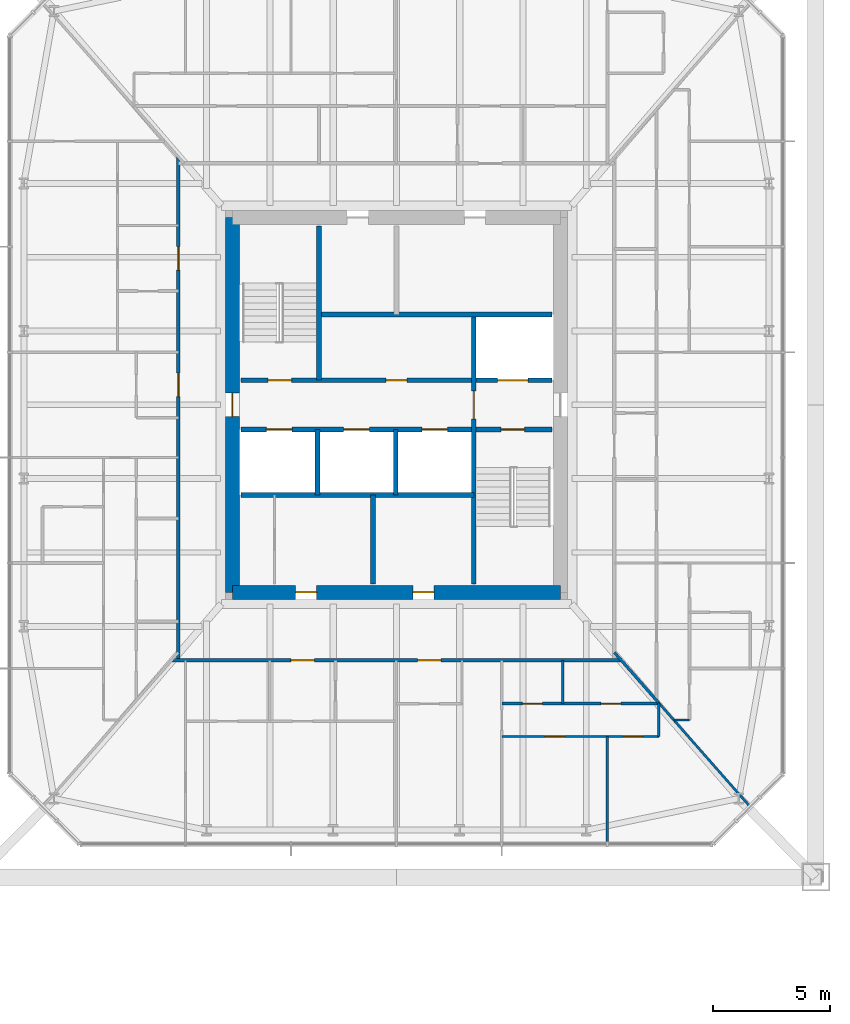
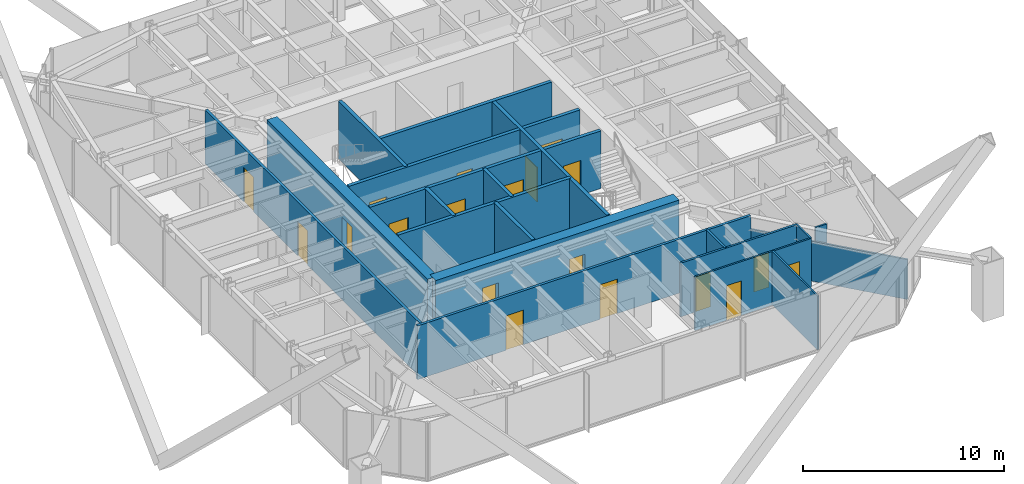
# One storey, part 21 of 28: 21 walls, 19 doors, 19 openings.
"""IFC4 building model written with IfcOpenShell, lengths in metres."""

from ifc_helpers import new_model, si_unit, direction, frame, frame_2d, origin, place, context, subcontext, project, spatial, rectangle, extrude, material, layer, layer_set, type_object, element, fill, save


model = new_model("IFC4")

# Units and contexts
model_context = context("Model", 3, precision=1e-05, world=origin(), true_north=direction((0.0, 1.0)))
body_context = subcontext(model_context, "Body", "Model", "MODEL_VIEW")
ifc_project = project(units=[si_unit("LENGTHUNIT", "METRE"), si_unit("AREAUNIT", "SQUARE_METRE"), si_unit("VOLUMEUNIT", "CUBIC_METRE"), si_unit("PLANEANGLEUNIT", "RADIAN"), si_unit("MASSUNIT", "GRAM", prefix="KILO")], contexts=[model_context])

# Site, building, storey
site_placement = place(None, origin())
site = spatial("IfcSite", under=ifc_project, at=site_placement, CompositionType="ELEMENT")
building_placement = place(site_placement, origin())
building = spatial("IfcBuilding", under=site, at=building_placement, Name="Iwan Alto Co-Living Towers", CompositionType="ELEMENT")
storey_placement = place(building_placement, frame((0.0, 0.0, 64.0)))
storey = spatial("IfcBuildingStorey", under=building, at=storey_placement, Name="L17", CompositionType="ELEMENT", Elevation=64.0)

# Wall, openings, doors
ifc_material_1 = material(Name="Gypsum board")
ifc_layer_1 = layer(ifc_material_1, 0.02490234375, Name="Board", Category="Finish")
ifc_material_2 = material(Name="Steel ASTM A1003 ST33H cold-formed studs", Category="steel")
ifc_layer_2 = layer(ifc_material_2, 0.10009765625, Name="Studs", Category="Framing")
ifc_layer_3 = layer(ifc_material_1, 0.02490234375, Name="Board", Category="Finish")
ifc_layer_set_1 = layer_set([ifc_layer_1, ifc_layer_2, ifc_layer_3], Name="CORRIDOR WALL 150")
wall_type_1 = type_object("IfcWallType", Name="CORRIDOR WALL 150", PredefinedType="PARTITIONING", material=ifc_layer_set_1)
wall_1_placement = place(storey_placement, frame((53.407958984375, -10.89990234375, 0.0), z_axis=(0.0, 0.0, 1.0), x_axis=(1.0, 0.0, 0.0)))
wall_1 = element("IfcWall", 1, at=wall_1_placement, inside=storey, type_object=wall_type_1, Name="Partition L17", PredefinedType="PARTITIONING", context=body_context, shape_type="SweptSolid", body=[
    extrude(rectangle(XDim=19.18408203125, YDim=0.14990234375, at=frame_2d((9.592041015625, 0.0))), origin(), (0.0, 0.0, 1.0), 3.27001953125),
])
opening_1_placement = place(wall_1_placement, frame((5.092041015625, 0.0, 0.0)))
opening_1 = element("IfcOpeningElement", 2, at=opening_1_placement, cuts=wall_1, Name="Opening D3", PredefinedType="OPENING", context=body_context, shape_type="SweptSolid", body=[
    extrude(rectangle(XDim=1.0, YDim=2.10009765625, at=frame_2d((0.5, 1.050048828125))), frame((0.0, 0.0849609375, 0.0), z_axis=(0.0, -1.0, 0.0), x_axis=(1.0, 0.0, 0.0)), (0.0, 0.0, 1.0), 0.169921875),
])
opening_2_placement = place(wall_1_placement, frame((10.491943359375, 0.0, 0.0)))
opening_2 = element("IfcOpeningElement", 3, at=opening_2_placement, cuts=wall_1, Name="Opening D3", PredefinedType="OPENING", context=body_context, shape_type="SweptSolid", body=[
    extrude(rectangle(XDim=1.0, YDim=2.10009765625, at=frame_2d((0.5, 1.050048828125))), frame((0.0, 0.0849609375, 0.0), z_axis=(0.0, -1.0, 0.0), x_axis=(1.0, 0.0, 0.0)), (0.0, 0.0, 1.0), 0.169921875),
])
ifc_material_3 = material(Name="Steel frame with timber leaf", Category="steel")
door_type_1 = type_object("IfcDoorType", Name="FLAT ENTRANCE DOOR FD30S 1000X2100", OperationType="SINGLE_SWING_LEFT", PredefinedType="DOOR", material=ifc_material_3)
door_1_placement = place(opening_1_placement, frame((1.0, 0.0, 0.0), z_axis=(0.0, 0.0, 1.0), x_axis=(-1.0, 0.0, 0.0)))
door_1 = element("IfcDoor", 4, at=door_1_placement, inside=storey, type_object=door_type_1, Name="Apartment foyer door L17", OperationType="SINGLE_SWING_RIGHT", OverallHeight=2.10009765625, OverallWidth=1.0, PredefinedType="DOOR", context=body_context, shape_type="SweptSolid", body=[
    extrude(rectangle(XDim=1.0, YDim=2.10009765625, at=frame_2d((0.5, 1.050048828125))), frame((0.0, 0.02490234375, 0.0), z_axis=(0.0, -1.0, 0.0), x_axis=(1.0, 0.0, 0.0)), (0.0, 0.0, 1.0), 0.050048828125),
])
fill(opening_1, door_1)
door_2_placement = place(opening_2_placement, frame((1.0, 0.0, 0.0), z_axis=(0.0, 0.0, 1.0), x_axis=(-1.0, 0.0, 0.0)))
door_2 = element("IfcDoor", 5, at=door_2_placement, inside=storey, type_object=door_type_1, Name="Apartment foyer door L17", OperationType="SINGLE_SWING_RIGHT", OverallHeight=2.10009765625, OverallWidth=1.0, PredefinedType="DOOR", context=body_context, shape_type="SweptSolid", body=[
    extrude(rectangle(XDim=1.0, YDim=2.10009765625, at=frame_2d((0.5, 1.050048828125))), frame((0.0, 0.02490234375, 0.0), z_axis=(0.0, -1.0, 0.0), x_axis=(1.0, 0.0, 0.0)), (0.0, 0.0, 1.0), 0.050048828125),
])
fill(opening_2, door_2)

wall_2_placement = place(storey_placement, frame((53.699951171875, -10.89990234375, 0.0), z_axis=(0.0, 0.0, 1.0), x_axis=(0.0, 1.0, 0.0)))
wall_2 = element("IfcWall", 6, at=wall_2_placement, inside=storey, type_object=wall_type_1, Name="Partition L17", PredefinedType="PARTITIONING", context=body_context, shape_type="SweptSolid", body=[
    extrude(rectangle(XDim=21.468017578125, YDim=0.14990234375, at=frame_2d((10.73388671875, 0.0))), origin(), (0.0, 0.0, 1.0), 3.27001953125),
])
opening_3_placement = place(wall_2_placement, frame((16.64990234375, 0.0, 0.0)))
opening_3 = element("IfcOpeningElement", 7, at=opening_3_placement, cuts=wall_2, Name="Opening D3", PredefinedType="OPENING", context=body_context, shape_type="SweptSolid", body=[
    extrude(rectangle(XDim=1.0, YDim=2.10009765625, at=frame_2d((0.5, 1.050048828125))), frame((0.0, 0.0849609375, 0.0), z_axis=(0.0, -1.0, 0.0), x_axis=(1.0, 0.0, 0.0)), (0.0, 0.0, 1.0), 0.169921875),
])
opening_4_placement = place(wall_2_placement, frame((11.25, 0.0, 0.0)))
opening_4 = element("IfcOpeningElement", 8, at=opening_4_placement, cuts=wall_2, Name="Opening D3", PredefinedType="OPENING", context=body_context, shape_type="SweptSolid", body=[
    extrude(rectangle(XDim=1.0, YDim=2.10009765625, at=frame_2d((0.5, 1.050048828125))), frame((0.0, 0.0849609375, 0.0), z_axis=(0.0, -1.0, 0.0), x_axis=(1.0, 0.0, 0.0)), (0.0, 0.0, 1.0), 0.169921875),
])
door_3_placement = place(opening_3_placement, origin())
door_3 = element("IfcDoor", 9, at=door_3_placement, inside=storey, type_object=door_type_1, Name="Apartment foyer door L17", OperationType="SINGLE_SWING_LEFT", OverallHeight=2.10009765625, OverallWidth=1.0, PredefinedType="DOOR", context=body_context, shape_type="SweptSolid", body=[
    extrude(rectangle(XDim=1.0, YDim=2.10009765625, at=frame_2d((0.5, 1.050048828125))), frame((0.0, 0.02490234375, 0.0), z_axis=(0.0, -1.0, 0.0), x_axis=(1.0, 0.0, 0.0)), (0.0, 0.0, 1.0), 0.050048828125),
])
fill(opening_3, door_3)
door_4_placement = place(opening_4_placement, origin())
door_4 = element("IfcDoor", 10, at=door_4_placement, inside=storey, type_object=door_type_1, Name="Apartment foyer door L17", OperationType="SINGLE_SWING_LEFT", OverallHeight=2.10009765625, OverallWidth=1.0, PredefinedType="DOOR", context=body_context, shape_type="SweptSolid", body=[
    extrude(rectangle(XDim=1.0, YDim=2.10009765625, at=frame_2d((0.5, 1.050048828125))), frame((0.0, 0.02490234375, 0.0), z_axis=(0.0, -1.0, 0.0), x_axis=(1.0, 0.0, 0.0)), (0.0, 0.0, 1.0), 0.050048828125),
])
fill(opening_4, door_4)

ifc_layer_4 = layer(ifc_material_1, 0.012451171875, Name="Board", Category="Finish")
ifc_layer_5 = layer(ifc_material_2, 0.074951171875, Name="Studs", Category="Framing")
ifc_layer_6 = layer(ifc_material_1, 0.012451171875, Name="Board", Category="Finish")
ifc_layer_set_2 = layer_set([ifc_layer_4, ifc_layer_5, ifc_layer_6], Name="PARTITION 100")
wall_type_2 = type_object("IfcWallType", Name="PARTITION 100", PredefinedType="PARTITIONING", material=ifc_layer_set_2)
wall_3_placement = place(storey_placement, frame((67.5, -14.14990234375, 0.0), z_axis=(0.0, 0.0, 1.0), x_axis=(1.0, 0.0, 0.0)))
wall_3 = element("IfcWall", 11, at=wall_3_placement, inside=storey, type_object=wall_type_2, Name="Partition L17", PredefinedType="PARTITIONING", context=body_context, shape_type="SweptSolid", body=[
    extrude(rectangle(XDim=6.699951171875, YDim=0.10009765625, at=frame_2d((3.35009765625, 0.0))), origin(), (0.0, 0.0, 1.0), 3.27001953125),
])
opening_5_placement = place(wall_3_placement, frame((1.824951171875, 0.0, 0.0)))
opening_5 = element("IfcOpeningElement", 12, at=opening_5_placement, cuts=wall_3, Name="Opening D2", PredefinedType="OPENING", context=body_context, shape_type="SweptSolid", body=[
    extrude(rectangle(XDim=0.85009765625, YDim=2.10009765625, at=frame_2d((0.425048828125, 1.050048828125))), frame((0.0, 0.06005859375, 0.0), z_axis=(0.0, -1.0, 0.0), x_axis=(1.0, 0.0, 0.0)), (0.0, 0.0, 1.0), 0.1201171875),
])
opening_6_placement = place(wall_3_placement, frame((5.175048828125, 0.0, 0.0)))
opening_6 = element("IfcOpeningElement", 13, at=opening_6_placement, cuts=wall_3, Name="Opening D2", PredefinedType="OPENING", context=body_context, shape_type="SweptSolid", body=[
    extrude(rectangle(XDim=0.85009765625, YDim=2.10009765625, at=frame_2d((0.425048828125, 1.050048828125))), frame((0.0, 0.06005859375, 0.0), z_axis=(0.0, -1.0, 0.0), x_axis=(1.0, 0.0, 0.0)), (0.0, 0.0, 1.0), 0.1201171875),
])
ifc_material_4 = material(Name="Timber leaf in steel frame", Category="steel")
door_type_2 = type_object("IfcDoorType", Name="ROOM DOOR 850X2100", OperationType="SINGLE_SWING_LEFT", PredefinedType="DOOR", material=ifc_material_4)
door_5_placement = place(opening_5_placement, frame((0.85009765625, 0.0, 0.0), z_axis=(0.0, 0.0, 1.0), x_axis=(-1.0, 0.0, 0.0)))
door_5 = element("IfcDoor", 14, at=door_5_placement, inside=storey, type_object=door_type_2, Name="Study door L17", OperationType="SINGLE_SWING_RIGHT", OverallHeight=2.10009765625, OverallWidth=0.85009765625, PredefinedType="DOOR", context=body_context, shape_type="SweptSolid", body=[
    extrude(rectangle(XDim=0.85009765625, YDim=2.10009765625, at=frame_2d((0.425048828125, 1.050048828125))), frame((0.0, 0.02490234375, 0.0), z_axis=(0.0, -1.0, 0.0), x_axis=(1.0, 0.0, 0.0)), (0.0, 0.0, 1.0), 0.050048828125),
])
fill(opening_5, door_5)
door_6_placement = place(opening_6_placement, frame((0.85009765625, 0.0, 0.0), z_axis=(0.0, 0.0, 1.0), x_axis=(-1.0, 0.0, 0.0)))
door_6 = element("IfcDoor", 15, at=door_6_placement, inside=storey, type_object=door_type_2, Name="Bedroom door L17", OperationType="SINGLE_SWING_RIGHT", OverallHeight=2.10009765625, OverallWidth=0.85009765625, PredefinedType="DOOR", context=body_context, shape_type="SweptSolid", body=[
    extrude(rectangle(XDim=0.85009765625, YDim=2.10009765625, at=frame_2d((0.425048828125, 1.050048828125))), frame((0.0, 0.02490234375, 0.0), z_axis=(0.0, -1.0, 0.0), x_axis=(1.0, 0.0, 0.0)), (0.0, 0.0, 1.0), 0.050048828125),
])
fill(opening_6, door_6)

# Walls
wall_4_placement = place(storey_placement, frame((74.8359375, -13.449951171875, 0.0), z_axis=(0.0, 0.0, 1.0), x_axis=(1.0, 0.0, 0.0)))
element("IfcWall", 16, at=wall_4_placement, inside=storey, type_object=wall_type_2, Name="Partition L17", PredefinedType="PARTITIONING", context=body_context, shape_type="SweptSolid", body=[
    extrude(rectangle(XDim=0.6640625, YDim=0.10009765625, at=frame_2d((0.33203125, 0.0))), origin(), (0.0, 0.0, 1.0), 3.27001953125),
])
wall_5_placement = place(storey_placement, frame((74.199951171875, -14.14990234375, 0.0), z_axis=(0.0, 0.0, 1.0), x_axis=(0.0, 1.0, 0.0)))
element("IfcWall", 17, at=wall_5_placement, inside=storey, type_object=wall_type_2, Name="Partition L17", PredefinedType="PARTITIONING", context=body_context, shape_type="SweptSolid", body=[
    extrude(rectangle(XDim=1.4228515625, YDim=0.10009765625, at=frame_2d((0.71142578125, 0.0))), origin(), (0.0, 0.0, 1.0), 3.27001953125),
])
wall_6_placement = place(storey_placement, frame((72.0, -18.68994140625, 0.0), z_axis=(0.0, 0.0, 1.0), x_axis=(0.0, 1.0, 0.0)))
element("IfcWall", 18, at=wall_6_placement, inside=storey, type_object=wall_type_2, Name="Partition L17", PredefinedType="PARTITIONING", context=body_context, shape_type="SweptSolid", body=[
    extrude(rectangle(XDim=4.5400390625, YDim=0.10009765625, at=frame_2d((2.27001953125, 0.0))), origin(), (0.0, 0.0, 1.0), 3.27001953125),
])
wall_7_placement = place(storey_placement, frame((78.056640625, -17.109375, 0.0), z_axis=(0.0, 0.0, 1.0), x_axis=(-0.660654290516, 0.750690287951, 0.0)))
element("IfcWall", 19, at=wall_7_placement, inside=storey, type_object=wall_type_2, Name="Partition L17", PredefinedType="PARTITIONING", context=body_context, shape_type="SweptSolid", body=[
    extrude(rectangle(XDim=5.838134765625, YDim=0.10009765625, at=frame_2d((2.9189453125, 0.0))), origin(), (0.0, 0.0, 1.0), 2.42919921875),
])
ifc_material_5 = material(Name="Concrete f'c 70 MPa", Category="concrete")
ifc_layer_7 = layer(ifc_material_5, 0.199951171875)
ifc_layer_set_3 = layer_set([ifc_layer_7], Name="SHAFT WALL 200")
wall_type_3 = type_object("IfcWallType", Name="SHAFT WALL 200", PredefinedType="SOLIDWALL", material=ifc_layer_set_3)
wall_8_placement = place(storey_placement, frame((56.360107421875, -3.85009765625, 0.0), z_axis=(0.0, 0.0, 1.0), x_axis=(1.0, 0.0, 0.0)))
element("IfcWall", 20, at=wall_8_placement, inside=storey, type_object=wall_type_3, Name="Shaft wall L17", PredefinedType="SOLIDWALL", context=body_context, shape_type="SweptSolid", body=[
    extrude(rectangle(XDim=9.93994140625, YDim=0.199951171875, at=frame_2d((4.969970703125, 0.0))), origin(), (0.0, 0.0, 1.0), 3.5),
])

# Wall, openings, doors
wall_9_placement = place(storey_placement, frame((56.360107421875, -1.050048828125, 0.0), z_axis=(0.0, 0.0, 1.0), x_axis=(1.0, 0.0, 0.0)))
wall_9 = element("IfcWall", 21, at=wall_9_placement, inside=storey, type_object=wall_type_3, Name="Shaft wall L17", PredefinedType="SOLIDWALL", context=body_context, shape_type="SweptSolid", body=[
    extrude(rectangle(XDim=13.27978515625, YDim=0.199951171875, at=frame_2d((6.639892578125, 0.0))), origin(), (0.0, 0.0, 1.0), 3.5),
])
opening_7_placement = place(wall_9_placement, frame((11.110107421875, 0.0, 0.0)))
opening_7 = element("IfcOpeningElement", 22, at=opening_7_placement, cuts=wall_9, Name="Opening D5", PredefinedType="OPENING", context=body_context, shape_type="SweptSolid", body=[
    extrude(rectangle(XDim=1.0, YDim=2.10009765625, at=frame_2d((0.5, 1.050048828125))), frame((0.0, 0.10986328125, 0.0), z_axis=(0.0, -1.0, 0.0), x_axis=(1.0, 0.0, 0.0)), (0.0, 0.0, 1.0), 0.219970703125),
])
opening_8_placement = place(wall_9_placement, frame((1.0869140625, 0.0, 0.0)))
opening_8 = element("IfcOpeningElement", 23, at=opening_8_placement, cuts=wall_9, Name="Opening LD", PredefinedType="OPENING", context=body_context, shape_type="SweptSolid", body=[
    extrude(rectangle(XDim=1.10009765625, YDim=2.10009765625, at=frame_2d((0.550048828125, 1.050048828125))), frame((0.0, 0.10986328125, 0.0), z_axis=(0.0, -1.0, 0.0), x_axis=(1.0, 0.0, 0.0)), (0.0, 0.0, 1.0), 0.219970703125),
])
opening_9_placement = place(wall_9_placement, frame((4.389892578125, 0.0, 0.0)))
opening_9 = element("IfcOpeningElement", 24, at=opening_9_placement, cuts=wall_9, Name="Opening LD", PredefinedType="OPENING", context=body_context, shape_type="SweptSolid", body=[
    extrude(rectangle(XDim=1.10009765625, YDim=2.10009765625, at=frame_2d((0.550048828125, 1.050048828125))), frame((0.0, 0.10986328125, 0.0), z_axis=(0.0, -1.0, 0.0), x_axis=(1.0, 0.0, 0.0)), (0.0, 0.0, 1.0), 0.219970703125),
])
opening_10_placement = place(wall_9_placement, frame((7.72412109375, 0.0, 0.0)))
opening_10 = element("IfcOpeningElement", 25, at=opening_10_placement, cuts=wall_9, Name="Opening LD", PredefinedType="OPENING", context=body_context, shape_type="SweptSolid", body=[
    extrude(rectangle(XDim=1.10009765625, YDim=2.10009765625, at=frame_2d((0.550048828125, 1.050048828125))), frame((0.0, 0.10986328125, 0.0), z_axis=(0.0, -1.0, 0.0), x_axis=(1.0, 0.0, 0.0)), (0.0, 0.0, 1.0), 0.219970703125),
])
ifc_material_6 = material(Name="Steel frame with timber leaf", Category="steel")
door_type_3 = type_object("IfcDoorType", Name="LIFT LANDING DOOR 1100X2100", OperationType="DOUBLE_DOOR_SLIDING", PredefinedType="DOOR", material=ifc_material_6)
door_7_placement = place(opening_8_placement, origin())
door_7 = element("IfcDoor", 26, at=door_7_placement, inside=storey, type_object=door_type_3, Name="Lift P5-1 landing door L17", OperationType="DOUBLE_DOOR_SLIDING", OverallHeight=2.10009765625, OverallWidth=1.10009765625, PredefinedType="DOOR", context=body_context, shape_type="SweptSolid", body=[
    extrude(rectangle(XDim=1.10009765625, YDim=2.10009765625, at=frame_2d((0.550048828125, 1.050048828125))), frame((0.0, 0.02490234375, 0.0), z_axis=(0.0, -1.0, 0.0), x_axis=(1.0, 0.0, 0.0)), (0.0, 0.0, 1.0), 0.050048828125),
])
fill(opening_8, door_7)
door_8_placement = place(opening_9_placement, origin())
door_8 = element("IfcDoor", 27, at=door_8_placement, inside=storey, type_object=door_type_3, Name="Lift P5-2 landing door L17", OperationType="DOUBLE_DOOR_SLIDING", OverallHeight=2.10009765625, OverallWidth=1.10009765625, PredefinedType="DOOR", context=body_context, shape_type="SweptSolid", body=[
    extrude(rectangle(XDim=1.10009765625, YDim=2.10009765625, at=frame_2d((0.550048828125, 1.050048828125))), frame((0.0, 0.02490234375, 0.0), z_axis=(0.0, -1.0, 0.0), x_axis=(1.0, 0.0, 0.0)), (0.0, 0.0, 1.0), 0.050048828125),
])
fill(opening_9, door_8)
door_9_placement = place(opening_10_placement, origin())
door_9 = element("IfcDoor", 28, at=door_9_placement, inside=storey, type_object=door_type_3, Name="Lift P6-3 landing door L17", OperationType="DOUBLE_DOOR_SLIDING", OverallHeight=2.10009765625, OverallWidth=1.10009765625, PredefinedType="DOOR", context=body_context, shape_type="SweptSolid", body=[
    extrude(rectangle(XDim=1.10009765625, YDim=2.10009765625, at=frame_2d((0.550048828125, 1.050048828125))), frame((0.0, 0.02490234375, 0.0), z_axis=(0.0, -1.0, 0.0), x_axis=(1.0, 0.0, 0.0)), (0.0, 0.0, 1.0), 0.050048828125),
])
fill(opening_10, door_9)
ifc_material_7 = material(Name="Steel frame with timber leaf", Category="steel")
door_type_4 = type_object("IfcDoorType", Name="STAIR DOOR FD120S 1000X2100", OperationType="SINGLE_SWING_LEFT", PredefinedType="DOOR", material=ifc_material_7)
door_10_placement = place(opening_7_placement, frame((1.0, 0.0, 0.0), z_axis=(0.0, 0.0, 1.0), x_axis=(-1.0, 0.0, 0.0)))
door_10 = element("IfcDoor", 29, at=door_10_placement, inside=storey, type_object=door_type_4, Name="Stair S2 door L17", OperationType="SINGLE_SWING_RIGHT", OverallHeight=2.10009765625, OverallWidth=1.0, PredefinedType="DOOR", context=body_context, shape_type="SweptSolid", body=[
    extrude(rectangle(XDim=1.0, YDim=2.10009765625, at=frame_2d((0.5, 1.050048828125))), frame((0.0, 0.02490234375, 0.0), z_axis=(0.0, -1.0, 0.0), x_axis=(1.0, 0.0, 0.0)), (0.0, 0.0, 1.0), 0.050048828125),
])
fill(opening_7, door_10)

wall_10_placement = place(storey_placement, frame((56.360107421875, 1.050048828125, 0.0), z_axis=(0.0, 0.0, 1.0), x_axis=(1.0, 0.0, 0.0)))
wall_10 = element("IfcWall", 30, at=wall_10_placement, inside=storey, type_object=wall_type_3, Name="Shaft wall L17", PredefinedType="SOLIDWALL", context=body_context, shape_type="SweptSolid", body=[
    extrude(rectangle(XDim=13.27978515625, YDim=0.199951171875, at=frame_2d((6.639892578125, 0.0))), origin(), (0.0, 0.0, 1.0), 3.5),
])
opening_11_placement = place(wall_10_placement, frame((1.169921875, 0.0, 0.0)))
opening_11 = element("IfcOpeningElement", 31, at=opening_11_placement, cuts=wall_10, Name="Opening D5", PredefinedType="OPENING", context=body_context, shape_type="SweptSolid", body=[
    extrude(rectangle(XDim=1.0, YDim=2.10009765625, at=frame_2d((0.5, 1.050048828125))), frame((0.0, 0.10986328125, 0.0), z_axis=(0.0, -1.0, 0.0), x_axis=(1.0, 0.0, 0.0)), (0.0, 0.0, 1.0), 0.219970703125),
])
opening_12_placement = place(wall_10_placement, frame((6.18994140625, 0.0, 0.0)))
opening_12 = element("IfcOpeningElement", 32, at=opening_12_placement, cuts=wall_10, Name="Opening D8", PredefinedType="OPENING", context=body_context, shape_type="SweptSolid", body=[
    extrude(rectangle(XDim=0.89990234375, YDim=2.10009765625, at=frame_2d((0.449951171875, 1.050048828125))), frame((0.0, 0.10986328125, 0.0), z_axis=(0.0, -1.0, 0.0), x_axis=(1.0, 0.0, 0.0)), (0.0, 0.0, 1.0), 0.219970703125),
])
opening_13_placement = place(wall_10_placement, frame((10.9599609375, 0.0, 0.0)))
opening_13 = element("IfcOpeningElement", 33, at=opening_13_placement, cuts=wall_10, Name="Opening LD2", PredefinedType="OPENING", context=body_context, shape_type="SweptSolid", body=[
    extrude(rectangle(XDim=1.300048828125, YDim=2.10009765625, at=frame_2d((0.64990234375, 1.050048828125))), frame((0.0, 0.10986328125, 0.0), z_axis=(0.0, -1.0, 0.0), x_axis=(1.0, 0.0, 0.0)), (0.0, 0.0, 1.0), 0.219970703125),
])
ifc_material_8 = material(Name="Steel frame with timber leaf", Category="steel")
door_type_5 = type_object("IfcDoorType", Name="LIFT LANDING DOOR 1300X2100", OperationType="SLIDING_TO_LEFT", PredefinedType="DOOR", material=ifc_material_8)
door_11_placement = place(opening_13_placement, origin())
door_11 = element("IfcDoor", 34, at=door_11_placement, inside=storey, type_object=door_type_5, Name="Lift FL2 landing door L17", OperationType="SLIDING_TO_LEFT", OverallHeight=2.10009765625, OverallWidth=1.300048828125, PredefinedType="DOOR", context=body_context, shape_type="SweptSolid", body=[
    extrude(rectangle(XDim=1.300048828125, YDim=2.10009765625, at=frame_2d((0.64990234375, 1.050048828125))), frame((0.0, 0.02490234375, 0.0), z_axis=(0.0, -1.0, 0.0), x_axis=(1.0, 0.0, 0.0)), (0.0, 0.0, 1.0), 0.050048828125),
])
fill(opening_13, door_11)
ifc_material_9 = material(Name="Steel frame with timber leaf", Category="steel")
door_type_6 = type_object("IfcDoorType", Name="RISER DOOR FD120 900X2100", OperationType="SINGLE_SWING_LEFT", PredefinedType="DOOR", material=ifc_material_9)
door_12_placement = place(opening_12_placement, origin())
door_12 = element("IfcDoor", 35, at=door_12_placement, inside=storey, type_object=door_type_6, Name="Riser room door L17", OperationType="SINGLE_SWING_LEFT", OverallHeight=2.10009765625, OverallWidth=0.89990234375, PredefinedType="DOOR", context=body_context, shape_type="SweptSolid", body=[
    extrude(rectangle(XDim=0.89990234375, YDim=2.10009765625, at=frame_2d((0.449951171875, 1.050048828125))), frame((0.0, 0.02490234375, 0.0), z_axis=(0.0, -1.0, 0.0), x_axis=(1.0, 0.0, 0.0)), (0.0, 0.0, 1.0), 0.050048828125),
])
fill(opening_12, door_12)
door_13_placement = place(opening_11_placement, origin())
door_13 = element("IfcDoor", 36, at=door_13_placement, inside=storey, type_object=door_type_4, Name="Stair S1 door L17", OperationType="SINGLE_SWING_RIGHT", OverallHeight=2.10009765625, OverallWidth=1.0, PredefinedType="DOOR", context=body_context, shape_type="SweptSolid", body=[
    extrude(rectangle(XDim=1.0, YDim=2.10009765625, at=frame_2d((0.5, 1.050048828125))), frame((0.0, 0.02490234375, 0.0), z_axis=(0.0, -1.0, 0.0), x_axis=(1.0, 0.0, 0.0)), (0.0, 0.0, 1.0), 0.050048828125),
])
fill(opening_11, door_13)

# Wall
wall_11_placement = place(storey_placement, frame((59.699951171875, 3.85009765625, 0.0), z_axis=(0.0, 0.0, 1.0), x_axis=(1.0, 0.0, 0.0)))
element("IfcWall", 37, at=wall_11_placement, inside=storey, type_object=wall_type_3, Name="Shaft wall L17", PredefinedType="SOLIDWALL", context=body_context, shape_type="SweptSolid", body=[
    extrude(rectangle(XDim=9.93994140625, YDim=0.199951171875, at=frame_2d((4.969970703125, 0.0))), origin(), (0.0, 0.0, 1.0), 3.5),
])

# Wall, opening, door
wall_12_placement = place(storey_placement, frame((66.300048828125, -7.639892578125, 0.0), z_axis=(0.0, 0.0, 1.0), x_axis=(0.0, 1.0, 0.0)))
wall_12 = element("IfcWall", 38, at=wall_12_placement, inside=storey, type_object=wall_type_3, Name="Shaft wall L17", PredefinedType="SOLIDWALL", context=body_context, shape_type="SweptSolid", body=[
    extrude(rectangle(XDim=11.489990234375, YDim=0.199951171875, at=frame_2d((5.7451171875, 0.0))), origin(), (0.0, 0.0, 1.0), 3.5),
])
opening_14_placement = place(wall_12_placement, frame((7.0400390625, 0.0, 0.0)))
opening_14 = element("IfcOpeningElement", 39, at=opening_14_placement, cuts=wall_12, Name="Opening D6", PredefinedType="OPENING", context=body_context, shape_type="SweptSolid", body=[
    extrude(rectangle(XDim=1.199951171875, YDim=2.10009765625, at=frame_2d((0.60009765625, 1.050048828125))), frame((0.0, 0.10986328125, 0.0), z_axis=(0.0, -1.0, 0.0), x_axis=(1.0, 0.0, 0.0)), (0.0, 0.0, 1.0), 0.219970703125),
])
ifc_material_10 = material(Name="Steel frame with timber leaf", Category="steel")
door_type_7 = type_object("IfcDoorType", Name="LOBBY DOOR FD120S 1200X2100", OperationType="SINGLE_SWING_LEFT", PredefinedType="DOOR", material=ifc_material_10)
door_14_placement = place(opening_14_placement, frame((1.199951171875, 0.0, 0.0), z_axis=(0.0, 0.0, 1.0), x_axis=(-1.0, 0.0, 0.0)))
door_14 = element("IfcDoor", 40, at=door_14_placement, inside=storey, type_object=door_type_7, Name="Firefighting lobby door L17", OperationType="SINGLE_SWING_RIGHT", OverallHeight=2.10009765625, OverallWidth=1.199951171875, PredefinedType="DOOR", context=body_context, shape_type="SweptSolid", body=[
    extrude(rectangle(XDim=1.199951171875, YDim=2.10009765625, at=frame_2d((0.60009765625, 1.050048828125))), frame((0.0, 0.02490234375, 0.0), z_axis=(0.0, -1.0, 0.0), x_axis=(1.0, 0.0, 0.0)), (0.0, 0.0, 1.0), 0.050048828125),
])
fill(opening_14, door_14)

# Walls
wall_13_placement = place(storey_placement, frame((62.967041015625, -3.85009765625, 0.0), z_axis=(0.0, 0.0, 1.0), x_axis=(0.0, 1.0, 0.0)))
element("IfcWall", 41, at=wall_13_placement, inside=storey, type_object=wall_type_3, Name="Shaft wall L17", PredefinedType="SOLIDWALL", context=body_context, shape_type="SweptSolid", body=[
    extrude(rectangle(XDim=2.800048828125, YDim=0.199951171875, at=frame_2d((1.39990234375, 0.0))), origin(), (0.0, 0.0, 1.0), 3.5),
])
wall_14_placement = place(storey_placement, frame((62.0, -7.639892578125, 0.0), z_axis=(0.0, 0.0, 1.0), x_axis=(0.0, 1.0, 0.0)))
element("IfcWall", 42, at=wall_14_placement, inside=storey, type_object=wall_type_3, Name="Shaft wall L17", PredefinedType="SOLIDWALL", context=body_context, shape_type="SweptSolid", body=[
    extrude(rectangle(XDim=3.789794921875, YDim=0.199951171875, at=frame_2d((1.89501953125, 0.0))), origin(), (0.0, 0.0, 1.0), 3.5),
])
wall_15_placement = place(storey_placement, frame((59.699951171875, 1.050048828125, 0.0), z_axis=(0.0, 0.0, 1.0), x_axis=(0.0, 1.0, 0.0)))
element("IfcWall", 43, at=wall_15_placement, inside=storey, type_object=wall_type_3, Name="Shaft wall L17", PredefinedType="SOLIDWALL", context=body_context, shape_type="SweptSolid", body=[
    extrude(rectangle(XDim=6.58984375, YDim=0.199951171875, at=frame_2d((3.294921875, 0.0))), origin(), (0.0, 0.0, 1.0), 3.5),
])
wall_16_placement = place(storey_placement, frame((59.633056640625, -3.85009765625, 0.0), z_axis=(0.0, 0.0, 1.0), x_axis=(0.0, 1.0, 0.0)))
element("IfcWall", 44, at=wall_16_placement, inside=storey, type_object=wall_type_3, Name="Shaft wall L17", PredefinedType="SOLIDWALL", context=body_context, shape_type="SweptSolid", body=[
    extrude(rectangle(XDim=2.800048828125, YDim=0.199951171875, at=frame_2d((1.39990234375, 0.0))), origin(), (0.0, 0.0, 1.0), 3.5),
])

# Wall, openings, doors
ifc_material_11 = material(Name="Concrete f'c 70 MPa", Category="concrete")
ifc_layer_8 = layer(ifc_material_11, 0.60009765625)
ifc_layer_set_4 = layer_set([ifc_layer_8], Name="T2 CORE WALL 600")
wall_type_4 = type_object("IfcWallType", Name="T2 CORE WALL 600", PredefinedType="SHEAR", material=ifc_layer_set_4)
wall_17_placement = place(storey_placement, frame((56.0, -8.0, 0.0), z_axis=(0.0, 0.0, 1.0), x_axis=(1.0, 0.0, 0.0)))
wall_17 = element("IfcWall", 45, at=wall_17_placement, inside=storey, type_object=wall_type_4, Name="T2 core wall S L17", PredefinedType="SHEAR", context=body_context, shape_type="SweptSolid", body=[
    extrude(rectangle(XDim=14.0, YDim=0.60009765625, at=frame_2d((7.0, 0.0))), origin(), (0.0, 0.0, 1.0), 3.5),
])
opening_15_placement = place(wall_17_placement, frame((2.699951171875, 0.0, 0.0)))
opening_15 = element("IfcOpeningElement", 46, at=opening_15_placement, cuts=wall_17, Name="Opening D8", PredefinedType="OPENING", context=body_context, shape_type="SweptSolid", body=[
    extrude(rectangle(XDim=0.89990234375, YDim=2.10009765625, at=frame_2d((0.449951171875, 1.050048828125))), frame((0.0, 0.31005859375, 0.0), z_axis=(0.0, -1.0, 0.0), x_axis=(1.0, 0.0, 0.0)), (0.0, 0.0, 1.0), 0.6201171875),
])
opening_16_placement = place(wall_17_placement, frame((7.699951171875, 0.0, 0.0)))
opening_16 = element("IfcOpeningElement", 47, at=opening_16_placement, cuts=wall_17, Name="Opening D8", PredefinedType="OPENING", context=body_context, shape_type="SweptSolid", body=[
    extrude(rectangle(XDim=0.89990234375, YDim=2.10009765625, at=frame_2d((0.449951171875, 1.050048828125))), frame((0.0, 0.31005859375, 0.0), z_axis=(0.0, -1.0, 0.0), x_axis=(1.0, 0.0, 0.0)), (0.0, 0.0, 1.0), 0.6201171875),
])
door_15_placement = place(opening_15_placement, origin())
door_15 = element("IfcDoor", 48, at=door_15_placement, inside=storey, type_object=door_type_6, Name="Refuse room core door L17", OperationType="SINGLE_SWING_LEFT", OverallHeight=2.10009765625, OverallWidth=0.89990234375, PredefinedType="DOOR", context=body_context, shape_type="SweptSolid", body=[
    extrude(rectangle(XDim=0.89990234375, YDim=2.10009765625, at=frame_2d((0.449951171875, 1.050048828125))), frame((0.0, 0.02490234375, 0.0), z_axis=(0.0, -1.0, 0.0), x_axis=(1.0, 0.0, 0.0)), (0.0, 0.0, 1.0), 0.050048828125),
])
fill(opening_15, door_15)
door_16_placement = place(opening_16_placement, origin())
door_16 = element("IfcDoor", 49, at=door_16_placement, inside=storey, type_object=door_type_6, Name="Telecom riser core door L17", OperationType="SINGLE_SWING_LEFT", OverallHeight=2.10009765625, OverallWidth=0.89990234375, PredefinedType="DOOR", context=body_context, shape_type="SweptSolid", body=[
    extrude(rectangle(XDim=0.89990234375, YDim=2.10009765625, at=frame_2d((0.449951171875, 1.050048828125))), frame((0.0, 0.02490234375, 0.0), z_axis=(0.0, -1.0, 0.0), x_axis=(1.0, 0.0, 0.0)), (0.0, 0.0, 1.0), 0.050048828125),
])
fill(opening_16, door_16)

# Wall, opening, door
wall_18_placement = place(storey_placement, frame((56.0, 8.0, 0.0), z_axis=(0.0, 0.0, 1.0), x_axis=(0.0, -1.0, 0.0)))
wall_18 = element("IfcWall", 50, at=wall_18_placement, inside=storey, type_object=wall_type_4, Name="T2 core wall W L17", PredefinedType="SHEAR", context=body_context, shape_type="SweptSolid", body=[
    extrude(rectangle(XDim=16.0, YDim=0.60009765625, at=frame_2d((8.0, 0.0))), origin(), (0.0, 0.0, 1.0), 3.5),
])
opening_17_placement = place(wall_18_placement, frame((7.5, 0.0, 0.0)))
opening_17 = element("IfcOpeningElement", 51, at=opening_17_placement, cuts=wall_18, Name="Opening D7", PredefinedType="OPENING", context=body_context, shape_type="SweptSolid", body=[
    extrude(rectangle(XDim=1.0, YDim=2.10009765625, at=frame_2d((0.5, 1.050048828125))), frame((0.0, 0.31005859375, 0.0), z_axis=(0.0, -1.0, 0.0), x_axis=(1.0, 0.0, 0.0)), (0.0, 0.0, 1.0), 0.6201171875),
])
ifc_material_12 = material(Name="Steel frame with timber leaf", Category="steel")
door_type_8 = type_object("IfcDoorType", Name="CORE DOOR FD120S 1000X2100", OperationType="SINGLE_SWING_LEFT", PredefinedType="DOOR", material=ifc_material_12)
door_17_placement = place(opening_17_placement, origin())
door_17 = element("IfcDoor", 52, at=door_17_placement, inside=storey, type_object=door_type_8, Name="Lift lobby core door L17", OperationType="SINGLE_SWING_RIGHT", OverallHeight=2.10009765625, OverallWidth=1.0, PredefinedType="DOOR", context=body_context, shape_type="SweptSolid", body=[
    extrude(rectangle(XDim=1.0, YDim=2.10009765625, at=frame_2d((0.5, 1.050048828125))), frame((0.0, 0.02490234375, 0.0), z_axis=(0.0, -1.0, 0.0), x_axis=(1.0, 0.0, 0.0)), (0.0, 0.0, 1.0), 0.050048828125),
])
fill(opening_17, door_17)

# Wall, openings, doors
ifc_material_13 = material(Name="Cement board")
ifc_layer_9 = layer(ifc_material_13, 0.012451171875, Name="Board", Category="Finish")
ifc_layer_10 = layer(ifc_material_2, 0.094970703125, Name="Studs", Category="Framing")
ifc_layer_11 = layer(ifc_material_13, 0.012451171875, Name="Board", Category="Finish")
ifc_layer_set_5 = layer_set([ifc_layer_9, ifc_layer_10, ifc_layer_11], Name="WET AREA PARTITION 120")
wall_type_5 = type_object("IfcWallType", Name="WET AREA PARTITION 120", PredefinedType="PARTITIONING", material=ifc_layer_set_5)
wall_19_placement = place(storey_placement, frame((67.5, -12.75, 0.0), z_axis=(0.0, 0.0, 1.0), x_axis=(1.0, 0.0, 0.0)))
wall_19 = element("IfcWall", 53, at=wall_19_placement, inside=storey, type_object=wall_type_5, Name="Partition L17", PredefinedType="PARTITIONING", context=body_context, shape_type="SweptSolid", body=[
    extrude(rectangle(XDim=6.699951171875, YDim=0.1201171875, at=frame_2d((3.35009765625, 0.0))), origin(), (0.0, 0.0, 1.0), 3.27001953125),
])
opening_18_placement = place(wall_19_placement, frame((0.875, 0.0, 0.0)))
opening_18 = element("IfcOpeningElement", 54, at=opening_18_placement, cuts=wall_19, Name="Opening D2", PredefinedType="OPENING", context=body_context, shape_type="SweptSolid", body=[
    extrude(rectangle(XDim=0.85009765625, YDim=2.10009765625, at=frame_2d((0.425048828125, 1.050048828125))), frame((0.0, 0.070068359375, 0.0), z_axis=(0.0, -1.0, 0.0), x_axis=(1.0, 0.0, 0.0)), (0.0, 0.0, 1.0), 0.14013671875),
])
opening_19_placement = place(wall_19_placement, frame((4.22509765625, 0.0, 0.0)))
opening_19 = element("IfcOpeningElement", 55, at=opening_19_placement, cuts=wall_19, Name="Opening D2", PredefinedType="OPENING", context=body_context, shape_type="SweptSolid", body=[
    extrude(rectangle(XDim=0.85009765625, YDim=2.10009765625, at=frame_2d((0.425048828125, 1.050048828125))), frame((0.0, 0.070068359375, 0.0), z_axis=(0.0, -1.0, 0.0), x_axis=(1.0, 0.0, 0.0)), (0.0, 0.0, 1.0), 0.14013671875),
])
door_18_placement = place(opening_18_placement, origin())
door_18 = element("IfcDoor", 56, at=door_18_placement, inside=storey, type_object=door_type_2, Name="Bathroom door L17", OperationType="SINGLE_SWING_LEFT", OverallHeight=2.10009765625, OverallWidth=0.85009765625, PredefinedType="DOOR", context=body_context, shape_type="SweptSolid", body=[
    extrude(rectangle(XDim=0.85009765625, YDim=2.10009765625, at=frame_2d((0.425048828125, 1.050048828125))), frame((0.0, 0.02490234375, 0.0), z_axis=(0.0, -1.0, 0.0), x_axis=(1.0, 0.0, 0.0)), (0.0, 0.0, 1.0), 0.050048828125),
])
fill(opening_18, door_18)
door_19_placement = place(opening_19_placement, origin())
door_19 = element("IfcDoor", 57, at=door_19_placement, inside=storey, type_object=door_type_2, Name="Utility room door L17", OperationType="SINGLE_SWING_RIGHT", OverallHeight=2.10009765625, OverallWidth=0.85009765625, PredefinedType="DOOR", context=body_context, shape_type="SweptSolid", body=[
    extrude(rectangle(XDim=0.85009765625, YDim=2.10009765625, at=frame_2d((0.425048828125, 1.050048828125))), frame((0.0, 0.02490234375, 0.0), z_axis=(0.0, -1.0, 0.0), x_axis=(1.0, 0.0, 0.0)), (0.0, 0.0, 1.0), 0.050048828125),
])
fill(opening_19, door_19)

# Walls
wall_20_placement = place(storey_placement, frame((70.10009765625, -12.75, 0.0), z_axis=(0.0, 0.0, 1.0), x_axis=(0.0, 1.0, 0.0)))
element("IfcWall", 58, at=wall_20_placement, inside=storey, type_object=wall_type_5, Name="Partition L17", PredefinedType="PARTITIONING", context=body_context, shape_type="SweptSolid", body=[
    extrude(rectangle(XDim=1.85009765625, YDim=0.1201171875, at=frame_2d((0.925048828125, 0.0))), origin(), (0.0, 0.0, 1.0), 3.27001953125),
])
wall_21_placement = place(storey_placement, frame((74.199951171875, -12.72705078125, 0.0), z_axis=(0.0, 0.0, 1.0), x_axis=(-0.66059344937, 0.75074382758, 0.0)))
element("IfcWall", 59, at=wall_21_placement, inside=storey, type_object=wall_type_5, Name="Partition L17", PredefinedType="PARTITIONING", context=body_context, shape_type="SweptSolid", body=[
    extrude(rectangle(XDim=2.8759765625, YDim=0.1201171875, at=frame_2d((1.43798828125, 0.0))), origin(), (0.0, 0.0, 1.0), 2.42919921875),
])

save(model, "model.ifc")
